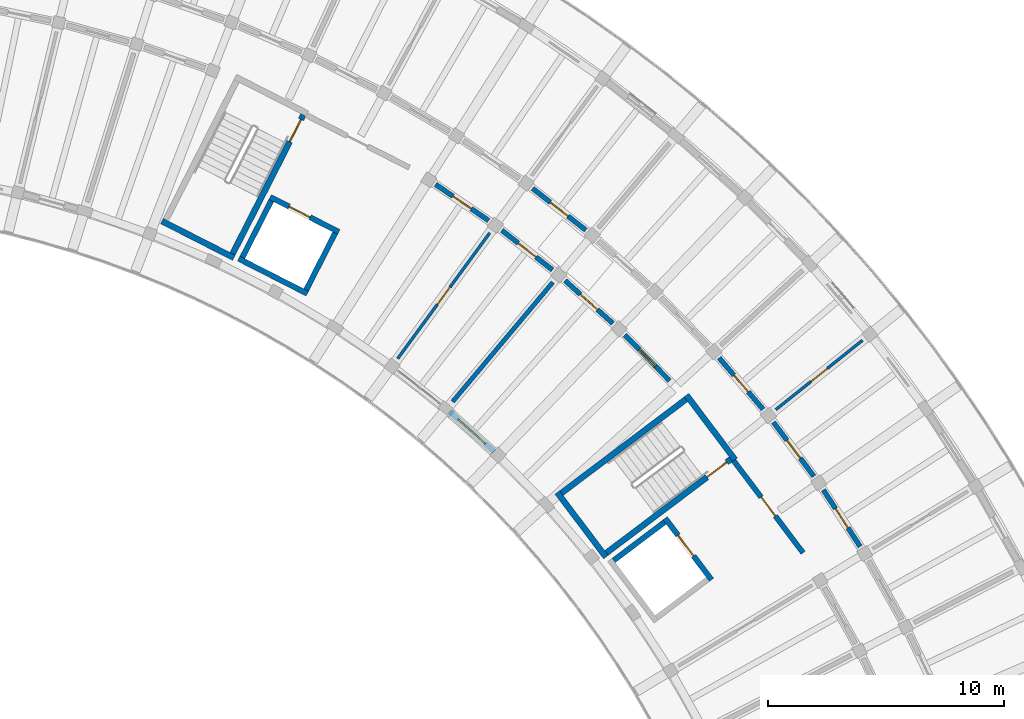
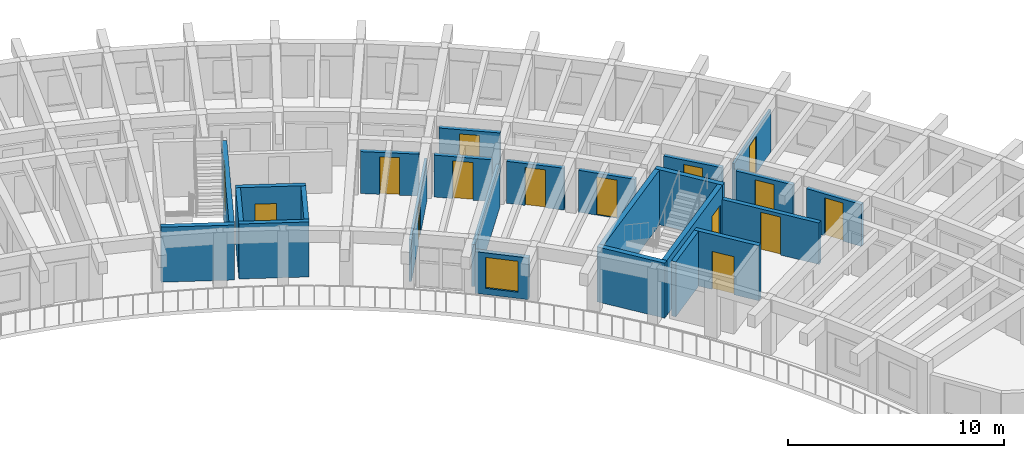
# One storey, part 34 of 56: 25 walls, 15 doors, 1 window, 16 openings.
"""IFC4 building model written with IfcOpenShell, lengths in metres."""

import ifcopenshell
import ifcopenshell.guid

model = None  # the IFC model being written
_history = None  # IfcOwnerHistory: only IFC2X3 demands one
_inside = {}  # id of a spatial element -> (the spatial element, [elements in it])
_under = {}  # id of a project, library or spatial element -> (it, [spatial elements below it])
_declared = {}  # id of a project -> (the project, [libraries it declares])
_typed = {}  # id of a type object -> (the type object, [elements of that type])
_made_of = {}  # id of a material, layer set ... -> (it, [elements and type objects made of it])


def new_model(schema):
    """Start an empty IFC model of exactly this schema.

    Asked for "IFC4X3", IfcOpenShell would pick the latest addendum, in which some entities
    have other attributes; the version numbers below select the first issue.
    IFC2X3 requires an IfcOwnerHistory on every rooted entity: one is made here for all.
    """
    global model, _history
    if schema == "IFC4X3":
        model = ifcopenshell.file(schema_version=(4, 3, 0, 0))
    else:
        model = ifcopenshell.file(schema=schema)
    _inside.clear()
    _under.clear()
    _declared.clear()
    _typed.clear()
    _made_of.clear()
    _history = None
    if model.schema == "IFC2X3":
        org = make("IfcOrganization", Name="unknown")
        user = make(
            "IfcPersonAndOrganization",
            ThePerson=make("IfcPerson", FamilyName="unknown"),
            TheOrganization=org,
        )
        app = make(
            "IfcApplication",
            ApplicationDeveloper=org,
            Version="unknown",
            ApplicationFullName="unknown",
            ApplicationIdentifier="unknown",
        )
        _history = make(
            "IfcOwnerHistory",
            OwningUser=user,
            OwningApplication=app,
            ChangeAction="ADDED",
            CreationDate=0,
        )
    return model


def make(cls, **values):
    """One entity of the class cls with the attributes given. An attribute that is None is left unset."""
    return model.create_entity(
        cls, **{name: value for name, value in values.items() if value is not None}
    )


def rooted(cls, **values):
    """An entity with a GlobalId (a new one), such as an element, a storey or a relation."""
    return make(cls, GlobalId=ifcopenshell.guid.new(), OwnerHistory=_history, **values)


def si_unit(unit_type, name, prefix=None):
    """IfcSIUnit, for example si_unit("LENGTHUNIT", "METRE", prefix="MILLI")."""
    return make("IfcSIUnit", UnitType=unit_type, Prefix=prefix, Name=name)


def assignment(units):
    """IfcUnitAssignment: the units of a project."""
    return None if units is None else make("IfcUnitAssignment", Units=units)


def point(xyz):
    """IfcCartesianPoint."""
    return None if xyz is None else make("IfcCartesianPoint", Coordinates=xyz)


def direction(xyz):
    """IfcDirection."""
    return None if xyz is None else make("IfcDirection", DirectionRatios=xyz)


def frame(location, z_axis=None, x_axis=None):
    """IfcAxis2Placement3D, a coordinate frame: its origin and axes. An axis left out is left unset."""
    return make(
        "IfcAxis2Placement3D",
        Location=point(location),
        Axis=direction(z_axis),
        RefDirection=direction(x_axis),
    )


def frame_2d(location, x_axis=None):
    """IfcAxis2Placement2D, a coordinate frame in the plane: its origin and x axis."""
    return make(
        "IfcAxis2Placement2D", Location=point(location), RefDirection=direction(x_axis)
    )


def origin():
    """The frame at (0, 0, 0) with its axes left unset."""
    return frame((0.0, 0.0, 0.0))


def place(relative_to, where):
    """IfcLocalPlacement: puts the frame where relative to a parent placement (None: the world)."""
    return make(
        "IfcLocalPlacement", PlacementRelTo=relative_to, RelativePlacement=where
    )


def context(
    kind, dimensions, precision=None, world=None, true_north=None, identifier=None
):
    """IfcGeometricRepresentationContext, for example the 3D "Model" context."""
    return make(
        "IfcGeometricRepresentationContext",
        ContextIdentifier=identifier,
        ContextType=kind,
        CoordinateSpaceDimension=dimensions,
        Precision=precision,
        WorldCoordinateSystem=world,
        TrueNorth=true_north,
    )


def subcontext(parent, identifier, kind, view, scale=None):
    """IfcGeometricRepresentationSubContext, for example "Body" below "Model"."""
    return make(
        "IfcGeometricRepresentationSubContext",
        ContextIdentifier=identifier,
        ContextType=kind,
        ParentContext=parent,
        TargetScale=scale,
        TargetView=view,
    )


def project(units=None, contexts=None):
    """IfcProject with its units and contexts."""
    return rooted(
        "IfcProject",
        Name="project",
        RepresentationContexts=contexts,
        UnitsInContext=assignment(units),
    )


def spatial(cls, under=None, at=None, **own):
    """A site, building, storey or space (cls), placed at a placement, below another one or the project."""
    s = rooted(cls, ObjectPlacement=at, **own)
    if under is not None:
        _under.setdefault(under.id(), (under, []))[1].append(s)
    return s


def profile(cls, at=None, kind="AREA", **sizes):
    """A parametric profile (cls). Its sizes go by their IFC names, for example OverallWidth=200.0."""
    return make(cls, ProfileType=kind, Position=at, **sizes)


def rectangle(**sizes):
    """IfcRectangleProfileDef."""
    return profile("IfcRectangleProfileDef", **sizes)


def extrude(swept, where, along, depth):
    """IfcExtrudedAreaSolid: the profile swept, set in the frame where, extruded along a direction by depth."""
    return make(
        "IfcExtrudedAreaSolid",
        SweptArea=swept,
        Position=where,
        ExtrudedDirection=direction(along),
        Depth=depth,
    )


def shape(context_of_items, identifier, shape_type, items):
    """IfcShapeRepresentation: the items that make up one representation, for example the "Body"."""
    return make(
        "IfcShapeRepresentation",
        ContextOfItems=context_of_items,
        RepresentationIdentifier=identifier,
        RepresentationType=shape_type,
        Items=items,
    )


def material(Name=None, Category=None):
    """IfcMaterial."""
    return make("IfcMaterial", Name=Name, Category=Category)


def layer(
    of_material, thickness, ventilated=None, Name=None, Category=None, Priority=None
):
    """IfcMaterialLayer: one layer of a wall or slab, of a material (None: an air gap)."""
    return make(
        "IfcMaterialLayer",
        Material=of_material,
        LayerThickness=thickness,
        IsVentilated=ventilated,
        Name=Name,
        Category=Category,
        Priority=Priority,
    )


def layer_set(layers, Name=None):
    """IfcMaterialLayerSet."""
    return make("IfcMaterialLayerSet", MaterialLayers=layers, LayerSetName=Name)


def made_of(thing, what):
    """Note that an element or type object is made of a material, layer set ...; save() writes the relation."""
    if what is not None:
        _made_of.setdefault(what.id(), (what, []))[1].append(thing)
    return thing


def type_object(cls, material=None, **own):
    """A type object (cls), such as IfcWallType, which elements share."""
    return made_of(rooted(cls, **own), material)


def element(
    cls,
    number,
    at=None,
    inside=None,
    cuts=None,
    type_object=None,
    material=None,
    context=None,
    identifier="Body",
    shape_type=None,
    held_by="IfcProductDefinitionShape",
    body=None,
    shapes=None,
    **own,
):
    """One element of the class cls, such as IfcWall. Its Tag is "e" and its number.

    at: its placement. inside: the storey or other place that contains it. cuts: it is an
    opening in that element (IfcRelVoidsElement). A single representation is given by context,
    identifier, shape_type and body (its items); several are given by shapes. held_by: the class
    of the entity that holds the representations. save() writes the other relations.
    """
    e = rooted(cls, Tag="e%d" % number, ObjectPlacement=at, **own)
    if body is not None:
        shapes = [shape(context, identifier, shape_type, body)]
    if shapes is not None:
        e.Representation = make(held_by, Representations=shapes)
    if inside is not None:
        _inside.setdefault(inside.id(), (inside, []))[1].append(e)
    if cuts is not None:
        rooted(
            "IfcRelVoidsElement", RelatingBuildingElement=cuts, RelatedOpeningElement=e
        )
    if type_object is not None:
        _typed.setdefault(type_object.id(), (type_object, []))[1].append(e)
    return made_of(e, material)


def fill(opening, filler):
    """IfcRelFillsElement: the door or window that sits in an opening."""
    return rooted(
        "IfcRelFillsElement",
        RelatingOpeningElement=opening,
        RelatedBuildingElement=filler,
    )


def aggregate(whole, parts):
    """IfcRelAggregates: a whole, such as a stair, and the parts it consists of."""
    return rooted("IfcRelAggregates", RelatingObject=whole, RelatedObjects=parts)


def save(model, path):
    """Write the relations noted so far, then the file.

    IfcRelAggregates (storeys below a building ...), IfcRelContainedInSpatialStructure (elements
    in a storey), IfcRelDefinesByType, IfcRelAssociatesMaterial and IfcRelDeclares: one each for
    every whole, place, type object, material and project.
    """
    for whole, parts in _under.values():
        aggregate(whole, parts)
    for where, things in _inside.values():
        rooted(
            "IfcRelContainedInSpatialStructure",
            RelatedElements=things,
            RelatingStructure=where,
        )
    for kind, things in _typed.values():
        rooted("IfcRelDefinesByType", RelatedObjects=things, RelatingType=kind)
    for what, things in _made_of.values():
        rooted("IfcRelAssociatesMaterial", RelatedObjects=things, RelatingMaterial=what)
    for by, libraries in _declared.values():
        rooted("IfcRelDeclares", RelatingContext=by, RelatedDefinitions=libraries)
    model.write(path)


model = new_model("IFC4")

# Units and contexts
model_context = context("Model", 3, precision=1e-05, world=origin(), true_north=direction((0.0, 1.0)))
body_context = subcontext(model_context, "Body", "Model", "MODEL_VIEW")
ifc_project = project(units=[si_unit("LENGTHUNIT", "METRE"), si_unit("AREAUNIT", "SQUARE_METRE"), si_unit("VOLUMEUNIT", "CUBIC_METRE"), si_unit("PLANEANGLEUNIT", "RADIAN"), si_unit("MASSUNIT", "GRAM", prefix="KILO")], contexts=[model_context])

# Site, building, storey
site_placement = place(None, origin())
site = spatial("IfcSite", under=ifc_project, at=site_placement, CompositionType="ELEMENT")
building_placement = place(site_placement, origin())
building = spatial("IfcBuilding", under=site, at=building_placement, Name="Tanwirah Colonnade Gardens", CompositionType="ELEMENT")
storey_placement = place(building_placement, frame((0.0, 0.0, 29.0)))
storey = spatial("IfcBuildingStorey", under=building, at=storey_placement, Name="L08", CompositionType="ELEMENT", Elevation=29.0)

# Wall, opening, window
ifc_material_1 = material(Name="Limestone architectural precast concrete C40/50", Category="masonry")
ifc_layer_1 = layer(ifc_material_1, 0.239990234375)
ifc_layer_set_1 = layer_set([ifc_layer_1], Name="Limestone architectural precast concrete C40/50")
wall_type_1 = type_object("IfcWallType", Name="EW-PC240", PredefinedType="SOLIDWALL", material=ifc_layer_set_1)
wall_1_placement = place(storey_placement, frame((151.589599609375, 92.441162109375, 0.0), z_axis=(0.0, 0.0, 1.0), x_axis=(-0.744432975017, 0.667697196121, 0.0)))
wall_1 = element("IfcWall", 1, at=wall_1_placement, inside=storey, type_object=wall_type_1, Name="Block B L08 IN Precast Facade Wall 8", PredefinedType="SOLIDWALL", context=body_context, shape_type="SweptSolid", body=[
    extrude(rectangle(XDim=2.545166015625, YDim=0.239990234375, at=frame_2d((1.2724609375, 0.0))), origin(), (0.0, 0.0, 1.0), 2.35498046875),
])
opening_1_placement = place(wall_1_placement, frame((0.49755859375, 0.0, 0.35009765625)))
opening_1 = element("IfcOpeningElement", 2, at=opening_1_placement, cuts=wall_1, Name="Opening WIN-T09", PredefinedType="OPENING", context=body_context, shape_type="SweptSolid", body=[
    extrude(rectangle(XDim=1.550048828125, YDim=1.75, at=frame_2d((0.77490234375, 0.875))), frame((0.0, 0.1298828125, 0.0), z_axis=(0.0, -1.0, 0.0), x_axis=(1.0, 0.0, 0.0)), (0.0, 0.0, 1.0), 0.260009765625),
])
ifc_material_2 = material(Name="Thermally broken bronze aluminium and solar low-E double glazing", Category="aluminium")
window_type = type_object("IfcWindowType", Name="WIN-T09", PartitioningType="DOUBLE_PANEL_VERTICAL", PredefinedType="WINDOW", material=ifc_material_2)
window_placement = place(opening_1_placement, origin())
window = element("IfcWindow", 3, at=window_placement, inside=storey, type_object=window_type, Name="Facade window B-L08-IN-08", OverallHeight=1.75, OverallWidth=1.550048828125, PartitioningType="SINGLE_PANEL", PredefinedType="WINDOW", context=body_context, shape_type="SweptSolid", body=[
    extrude(rectangle(XDim=1.550048828125, YDim=1.75, at=frame_2d((0.77490234375, 0.875))), frame((0.0, 0.030029296875, 0.0), z_axis=(0.0, -1.0, 0.0), x_axis=(1.0, 0.0, 0.0)), (0.0, 0.0, 1.0), 0.06005859375),
])
fill(opening_1, window)

# Wall, opening, door
ifc_material_3 = material(Name="Precast concrete C40/50", Category="concrete")
ifc_layer_2 = layer(ifc_material_3, 0.205078125)
ifc_layer_set_2 = layer_set([ifc_layer_2], Name="Precast concrete C40/50")
wall_type_2 = type_object("IfcWallType", Name="IW-CORR205", PredefinedType="PARTITIONING", material=ifc_layer_set_2)
wall_2_placement = place(storey_placement, frame((167.085205078125, 88.421142578125, 0.0), z_axis=(0.0, 0.0, 1.0), x_axis=(-0.544643612649, 0.838667595178, 0.0)))
wall_2 = element("IfcWall", 4, at=wall_2_placement, inside=storey, type_object=wall_type_2, Name="Block B L08 OUT Corridor Wall 4", PredefinedType="PARTITIONING", context=body_context, shape_type="SweptSolid", body=[
    extrude(rectangle(XDim=2.863037109375, YDim=0.205078125, at=frame_2d((1.431640625, 0.0))), origin(), (0.0, 0.0, 1.0), 2.3701171875),
])
opening_2_placement = place(wall_2_placement, frame((0.946533203125, 0.0, 0.0)))
opening_2 = element("IfcOpeningElement", 5, at=opening_2_placement, cuts=wall_2, Name="Opening L08-AD1135", PredefinedType="OPENING", context=body_context, shape_type="SweptSolid", body=[
    extrude(rectangle(XDim=0.969970703125, YDim=2.14990234375, at=frame_2d((0.48486328125, 1.074951171875))), frame((0.0, 0.112548828125, 0.0), z_axis=(0.0, -1.0, 0.0), x_axis=(1.0, 0.0, 0.0)), (0.0, 0.0, 1.0), 0.22509765625),
])
ifc_material_4 = material(Name="Solid oak fire-resisting apartment entrance door")
door_type_1 = type_object("IfcDoorType", Name="ID-FLT097", OperationType="NOTDEFINED", PredefinedType="DOOR", material=ifc_material_4)
door_1_placement = place(opening_2_placement, origin())
door_1 = element("IfcDoor", 6, at=door_1_placement, inside=storey, type_object=door_type_1, Name="Apartment corridor door L08-AD1135", OperationType="SINGLE_SWING_LEFT", OverallHeight=2.14990234375, OverallWidth=0.969970703125, PredefinedType="DOOR", context=body_context, shape_type="SweptSolid", body=[
    extrude(rectangle(XDim=0.969970703125, YDim=2.14990234375, at=frame_2d((0.48486328125, 1.074951171875))), frame((0.0, 0.02490234375, 0.0), z_axis=(0.0, -1.0, 0.0), x_axis=(1.0, 0.0, 0.0)), (0.0, 0.0, 1.0), 0.050048828125),
])
fill(opening_2, door_1)

wall_3_placement = place(storey_placement, frame((165.125732421875, 91.396240234375, 0.0), z_axis=(0.0, 0.0, 1.0), x_axis=(-0.598757763243, 0.800930172335, 0.0)))
wall_3 = element("IfcWall", 7, at=wall_3_placement, inside=storey, type_object=wall_type_2, Name="Block B L08 OUT Corridor Wall 5", PredefinedType="PARTITIONING", context=body_context, shape_type="SweptSolid", body=[
    extrude(rectangle(XDim=2.86328125, YDim=0.205078125, at=frame_2d((1.431640625, 0.0))), origin(), (0.0, 0.0, 1.0), 2.3701171875),
])
opening_3_placement = place(wall_3_placement, frame((0.95654296875, 0.0, 0.0)))
opening_3 = element("IfcOpeningElement", 8, at=opening_3_placement, cuts=wall_3, Name="Opening L08-AD1136", PredefinedType="OPENING", context=body_context, shape_type="SweptSolid", body=[
    extrude(rectangle(XDim=0.949951171875, YDim=2.1298828125, at=frame_2d((0.47509765625, 1.06494140625))), frame((0.0, 0.112548828125, 0.0), z_axis=(0.0, -1.0, 0.0), x_axis=(1.0, 0.0, 0.0)), (0.0, 0.0, 1.0), 0.22509765625),
])
door_type_2 = type_object("IfcDoorType", Name="ID-FLT095", OperationType="NOTDEFINED", PredefinedType="DOOR", material=ifc_material_4)
door_2_placement = place(opening_3_placement, origin())
door_2 = element("IfcDoor", 9, at=door_2_placement, inside=storey, type_object=door_type_2, Name="Apartment corridor door L08-AD1136", OperationType="SINGLE_SWING_RIGHT", OverallHeight=2.1298828125, OverallWidth=0.949951171875, PredefinedType="DOOR", context=body_context, shape_type="SweptSolid", body=[
    extrude(rectangle(XDim=0.949951171875, YDim=2.1298828125, at=frame_2d((0.47509765625, 1.06494140625))), frame((0.0, 0.02490234375, 0.0), z_axis=(0.0, -1.0, 0.0), x_axis=(1.0, 0.0, 0.0)), (0.0, 0.0, 1.0), 0.050048828125),
])
fill(opening_3, door_2)

wall_4_placement = place(storey_placement, frame((162.974365234375, 94.23583984375, 0.0), z_axis=(0.0, 0.0, 1.0), x_axis=(-0.650194272684, 0.759767996015, 0.0)))
wall_4 = element("IfcWall", 10, at=wall_4_placement, inside=storey, type_object=wall_type_2, Name="Block B L08 OUT Corridor Wall 6", PredefinedType="PARTITIONING", context=body_context, shape_type="SweptSolid", body=[
    extrude(rectangle(XDim=2.863037109375, YDim=0.205078125, at=frame_2d((1.431640625, 0.0))), origin(), (0.0, 0.0, 1.0), 2.3701171875),
])
opening_4_placement = place(wall_4_placement, frame((0.966552734375, 0.0, 0.0)))
opening_4 = element("IfcOpeningElement", 11, at=opening_4_placement, cuts=wall_4, Name="Opening L08-AD1138", PredefinedType="OPENING", context=body_context, shape_type="SweptSolid", body=[
    extrude(rectangle(XDim=0.929931640625, YDim=2.1201171875, at=frame_2d((0.46484375, 1.06005859375))), frame((0.0, 0.112548828125, 0.0), z_axis=(0.0, -1.0, 0.0), x_axis=(1.0, 0.0, 0.0)), (0.0, 0.0, 1.0), 0.22509765625),
])
door_type_3 = type_object("IfcDoorType", Name="ID-FLT093", OperationType="NOTDEFINED", PredefinedType="DOOR", material=ifc_material_4)
door_3_placement = place(opening_4_placement, origin())
door_3 = element("IfcDoor", 12, at=door_3_placement, inside=storey, type_object=door_type_3, Name="Apartment corridor door L08-AD1138", OperationType="SINGLE_SWING_LEFT", OverallHeight=2.1201171875, OverallWidth=0.929931640625, PredefinedType="DOOR", context=body_context, shape_type="SweptSolid", body=[
    extrude(rectangle(XDim=0.929931640625, YDim=2.1201171875, at=frame_2d((0.46484375, 1.06005859375))), frame((0.0, 0.02490234375, 0.0), z_axis=(0.0, -1.0, 0.0), x_axis=(1.0, 0.0, 0.0)), (0.0, 0.0, 1.0), 0.050048828125),
])
fill(opening_4, door_3)

wall_5_placement = place(storey_placement, frame((159.01708984375, 95.442626953125, 0.0), z_axis=(0.0, 0.0, 1.0), x_axis=(-0.698840007829, 0.715278018296, 0.0)))
wall_5 = element("IfcWall", 13, at=wall_5_placement, inside=storey, type_object=wall_type_2, Name="Block B L08 IN Corridor Wall 7", PredefinedType="PARTITIONING", context=body_context, shape_type="SweptSolid", body=[
    extrude(rectangle(XDim=2.718017578125, YDim=0.205078125, at=frame_2d((1.35888671875, 0.0))), origin(), (0.0, 0.0, 1.0), 2.3701171875),
])
opening_5_placement = place(wall_5_placement, frame((0.864013671875, 0.0, 0.0)))
opening_5 = element("IfcOpeningElement", 14, at=opening_5_placement, cuts=wall_5, Name="Opening L08-AD1140", PredefinedType="OPENING", context=body_context, shape_type="SweptSolid", body=[
    extrude(rectangle(XDim=0.989990234375, YDim=2.159912109375, at=frame_2d((0.4951171875, 1.080078125))), frame((0.0, 0.112548828125, 0.0), z_axis=(0.0, -1.0, 0.0), x_axis=(1.0, 0.0, 0.0)), (0.0, 0.0, 1.0), 0.22509765625),
])
door_type_4 = type_object("IfcDoorType", Name="ID-FLT099", OperationType="NOTDEFINED", PredefinedType="DOOR", material=ifc_material_4)
door_4_placement = place(opening_5_placement, origin())
door_4 = element("IfcDoor", 15, at=door_4_placement, inside=storey, type_object=door_type_4, Name="Apartment corridor door L08-AD1140", OperationType="SINGLE_SWING_LEFT", OverallHeight=2.159912109375, OverallWidth=0.989990234375, PredefinedType="DOOR", context=body_context, shape_type="SweptSolid", body=[
    extrude(rectangle(XDim=0.989990234375, YDim=2.159912109375, at=frame_2d((0.4951171875, 1.080078125))), frame((0.0, 0.02490234375, 0.0), z_axis=(0.0, -1.0, 0.0), x_axis=(1.0, 0.0, 0.0)), (0.0, 0.0, 1.0), 0.050048828125),
])
fill(opening_5, door_4)

wall_6_placement = place(storey_placement, frame((156.612548828125, 97.870849609375, 0.0), z_axis=(0.0, 0.0, 1.0), x_axis=(-0.744418559135, 0.667713268413, 0.0)))
wall_6 = element("IfcWall", 16, at=wall_6_placement, inside=storey, type_object=wall_type_2, Name="Block B L08 IN Corridor Wall 8", PredefinedType="PARTITIONING", context=body_context, shape_type="SweptSolid", body=[
    extrude(rectangle(XDim=2.71826171875, YDim=0.205078125, at=frame_2d((1.359130859375, 0.0))), origin(), (0.0, 0.0, 1.0), 2.3701171875),
])
opening_6_placement = place(wall_6_placement, frame((0.8740234375, 0.0, 0.0)))
opening_6 = element("IfcOpeningElement", 17, at=opening_6_placement, cuts=wall_6, Name="Opening L08-AD1142", PredefinedType="OPENING", context=body_context, shape_type="SweptSolid", body=[
    extrude(rectangle(XDim=0.969970703125, YDim=2.14990234375, at=frame_2d((0.48486328125, 1.074951171875))), frame((0.0, 0.112548828125, 0.0), z_axis=(0.0, -1.0, 0.0), x_axis=(1.0, 0.0, 0.0)), (0.0, 0.0, 1.0), 0.22509765625),
])
door_5_placement = place(opening_6_placement, origin())
door_5 = element("IfcDoor", 18, at=door_5_placement, inside=storey, type_object=door_type_1, Name="Apartment corridor door L08-AD1142", OperationType="SINGLE_SWING_RIGHT", OverallHeight=2.14990234375, OverallWidth=0.969970703125, PredefinedType="DOOR", context=body_context, shape_type="SweptSolid", body=[
    extrude(rectangle(XDim=0.969970703125, YDim=2.14990234375, at=frame_2d((0.48486328125, 1.074951171875))), frame((0.0, 0.02490234375, 0.0), z_axis=(0.0, -1.0, 0.0), x_axis=(1.0, 0.0, 0.0)), (0.0, 0.0, 1.0), 0.050048828125),
])
fill(opening_6, door_5)

wall_7_placement = place(storey_placement, frame((155.46728515625, 101.82080078125, 0.0), z_axis=(0.0, 0.0, 1.0), x_axis=(-0.786806323554, 0.617199975061, 0.0)))
wall_7 = element("IfcWall", 19, at=wall_7_placement, inside=storey, type_object=wall_type_2, Name="Block B L08 OUT Corridor Wall 9", PredefinedType="PARTITIONING", context=body_context, shape_type="SweptSolid", body=[
    extrude(rectangle(XDim=2.863037109375, YDim=0.205078125, at=frame_2d((1.431640625, 0.0))), origin(), (0.0, 0.0, 1.0), 2.3701171875),
])
opening_7_placement = place(wall_7_placement, frame((0.95654296875, 0.0, 0.0)))
opening_7 = element("IfcOpeningElement", 20, at=opening_7_placement, cuts=wall_7, Name="Opening L08-AD1143", PredefinedType="OPENING", context=body_context, shape_type="SweptSolid", body=[
    extrude(rectangle(XDim=0.949951171875, YDim=2.1298828125, at=frame_2d((0.47509765625, 1.06494140625))), frame((0.0, 0.112548828125, 0.0), z_axis=(0.0, -1.0, 0.0), x_axis=(1.0, 0.0, 0.0)), (0.0, 0.0, 1.0), 0.22509765625),
])
door_6_placement = place(opening_7_placement, origin())
door_6 = element("IfcDoor", 21, at=door_6_placement, inside=storey, type_object=door_type_2, Name="Apartment corridor door L08-AD1143", OperationType="SINGLE_SWING_RIGHT", OverallHeight=2.1298828125, OverallWidth=0.949951171875, PredefinedType="DOOR", context=body_context, shape_type="SweptSolid", body=[
    extrude(rectangle(XDim=0.949951171875, YDim=2.1298828125, at=frame_2d((0.47509765625, 1.06494140625))), frame((0.0, 0.02490234375, 0.0), z_axis=(0.0, -1.0, 0.0), x_axis=(1.0, 0.0, 0.0)), (0.0, 0.0, 1.0), 0.050048828125),
])
fill(opening_7, door_6)

wall_8_placement = place(storey_placement, frame((154.05322265625, 100.135498046875, 0.0), z_axis=(0.0, 0.0, 1.0), x_axis=(-0.786835457019, 0.617162833924, 0.0)))
wall_8 = element("IfcWall", 22, at=wall_8_placement, inside=storey, type_object=wall_type_2, Name="Block B L08 IN Corridor Wall 9", PredefinedType="PARTITIONING", context=body_context, shape_type="SweptSolid", body=[
    extrude(rectangle(XDim=2.718017578125, YDim=0.205078125, at=frame_2d((1.35888671875, 0.0))), origin(), (0.0, 0.0, 1.0), 2.3701171875),
])
opening_8_placement = place(wall_8_placement, frame((0.884033203125, 0.0, 0.0)))
opening_8 = element("IfcOpeningElement", 23, at=opening_8_placement, cuts=wall_8, Name="Opening L08-AD1144", PredefinedType="OPENING", context=body_context, shape_type="SweptSolid", body=[
    extrude(rectangle(XDim=0.949951171875, YDim=2.1298828125, at=frame_2d((0.47509765625, 1.06494140625))), frame((0.0, 0.112548828125, 0.0), z_axis=(0.0, -1.0, 0.0), x_axis=(1.0, 0.0, 0.0)), (0.0, 0.0, 1.0), 0.22509765625),
])
door_7_placement = place(opening_8_placement, origin())
door_7 = element("IfcDoor", 24, at=door_7_placement, inside=storey, type_object=door_type_2, Name="Apartment corridor door L08-AD1144", OperationType="SINGLE_SWING_LEFT", OverallHeight=2.1298828125, OverallWidth=0.949951171875, PredefinedType="DOOR", context=body_context, shape_type="SweptSolid", body=[
    extrude(rectangle(XDim=0.949951171875, YDim=2.1298828125, at=frame_2d((0.47509765625, 1.06494140625))), frame((0.0, 0.02490234375, 0.0), z_axis=(0.0, -1.0, 0.0), x_axis=(1.0, 0.0, 0.0)), (0.0, 0.0, 1.0), 0.050048828125),
])
fill(opening_8, door_7)

wall_9_placement = place(storey_placement, frame((151.35009765625, 102.226318359375, 0.0), z_axis=(0.0, 0.0, 1.0), x_axis=(-0.825752009056, 0.56403334967, 0.0)))
wall_9 = element("IfcWall", 25, at=wall_9_placement, inside=storey, type_object=wall_type_2, Name="Block B L08 IN Corridor Wall 10", PredefinedType="PARTITIONING", context=body_context, shape_type="SweptSolid", body=[
    extrude(rectangle(XDim=2.71826171875, YDim=0.205078125, at=frame_2d((1.359130859375, 0.0))), origin(), (0.0, 0.0, 1.0), 2.3701171875),
])
opening_9_placement = place(wall_9_placement, frame((0.89404296875, 0.0, 0.0)))
opening_9 = element("IfcOpeningElement", 26, at=opening_9_placement, cuts=wall_9, Name="Opening L08-AD1148", PredefinedType="OPENING", context=body_context, shape_type="SweptSolid", body=[
    extrude(rectangle(XDim=0.929931640625, YDim=2.1201171875, at=frame_2d((0.46484375, 1.06005859375))), frame((0.0, 0.112548828125, 0.0), z_axis=(0.0, -1.0, 0.0), x_axis=(1.0, 0.0, 0.0)), (0.0, 0.0, 1.0), 0.22509765625),
])
door_8_placement = place(opening_9_placement, origin())
door_8 = element("IfcDoor", 27, at=door_8_placement, inside=storey, type_object=door_type_3, Name="Apartment corridor door L08-AD1148", OperationType="SINGLE_SWING_RIGHT", OverallHeight=2.1201171875, OverallWidth=0.929931640625, PredefinedType="DOOR", context=body_context, shape_type="SweptSolid", body=[
    extrude(rectangle(XDim=0.929931640625, YDim=2.1201171875, at=frame_2d((0.46484375, 1.06005859375))), frame((0.0, 0.02490234375, 0.0), z_axis=(0.0, -1.0, 0.0), x_axis=(1.0, 0.0, 0.0)), (0.0, 0.0, 1.0), 0.050048828125),
])
fill(opening_9, door_8)

# Wall
ifc_layer_3 = layer(ifc_material_3, 0.18505859375)
ifc_layer_set_3 = layer_set([ifc_layer_3], Name="Precast concrete C40/50")
wall_type_3 = type_object("IfcWallType", Name="IW-DEM185", PredefinedType="PARTITIONING", material=ifc_layer_set_3)
wall_10_placement = place(storey_placement, frame((149.8291015625, 94.55712890625, 0.0), z_axis=(0.0, 0.0, 1.0), x_axis=(0.642789470807, 0.766042881449, 0.0)))
element("IfcWall", 28, at=wall_10_placement, inside=storey, type_object=wall_type_3, Name="Block B L08 Inner Radial Partition 8", PredefinedType="PARTITIONING", context=body_context, shape_type="SweptSolid", body=[
    extrude(rectangle(XDim=6.60009765625, YDim=0.18505859375, at=frame_2d((3.300048828125, 0.0))), origin(), (0.0, 0.0, 1.0), 2.3701171875),
])

# Wall, opening, door
ifc_material_5 = material(Name="Autoclaved aerated masonry blockwork", Category="masonry")
ifc_layer_4 = layer(ifc_material_5, 0.219970703125)
ifc_layer_set_4 = layer_set([ifc_layer_4], Name="Autoclaved aerated masonry blockwork")
wall_type_4 = type_object("IfcWallType", Name="IW-FFL220", PredefinedType="PARTITIONING", material=ifc_layer_set_4)
wall_11_placement = place(storey_placement, frame((161.7177734375, 92.072509765625, 0.0), z_axis=(0.0, 0.0, 1.0), x_axis=(0.601792209296, -0.79865270101, 0.0)))
wall_11 = element("IfcWall", 29, at=wall_11_placement, inside=storey, type_object=wall_type_4, Name="CORE-B1 L08 Enclosed Lobby Fire Wall", PredefinedType="PARTITIONING", context=body_context, shape_type="SweptSolid", body=[
    extrude(rectangle(XDim=4.89990234375, YDim=0.219970703125, at=frame_2d((2.449951171875, 0.0))), origin(), (0.0, 0.0, 1.0), 2.340087890625),
])
opening_10_placement = place(wall_11_placement, frame((1.949951171875, 0.0, 0.0)))
opening_10 = element("IfcOpeningElement", 30, at=opening_10_placement, cuts=wall_11, Name="Opening L08-LD088", PredefinedType="OPENING", context=body_context, shape_type="SweptSolid", body=[
    extrude(rectangle(XDim=1.0, YDim=2.14990234375, at=frame_2d((0.5, 1.074951171875))), frame((0.0, 0.119873046875, 0.0), z_axis=(0.0, -1.0, 0.0), x_axis=(1.0, 0.0, 0.0)), (0.0, 0.0, 1.0), 0.239990234375),
])
ifc_material_6 = material(Name="Acoustic fire-resisting lobby door")
door_type_5 = type_object("IfcDoorType", Name="ID-FFL100", OperationType="NOTDEFINED", PredefinedType="DOOR", material=ifc_material_6)
door_9_placement = place(opening_10_placement, origin())
door_9 = element("IfcDoor", 31, at=door_9_placement, inside=storey, type_object=door_type_5, Name="CORE-B1 L08 Lobby Fire Door L08-LD088", OperationType="SINGLE_SWING_LEFT", OverallHeight=2.14990234375, OverallWidth=1.0, PredefinedType="DOOR", context=body_context, shape_type="SweptSolid", body=[
    extrude(rectangle(XDim=1.0, YDim=2.14990234375, at=frame_2d((0.5, 1.074951171875))), frame((0.0, 0.02490234375, 0.0), z_axis=(0.0, -1.0, 0.0), x_axis=(1.0, 0.0, 0.0)), (0.0, 0.0, 1.0), 0.050048828125),
])
fill(opening_10, door_9)

ifc_material_7 = material(Name="Moisture-resistant gypsum stud partition")
ifc_layer_5 = layer(ifc_material_7, 0.125)
ifc_layer_set_5 = layer_set([ifc_layer_5], Name="Moisture-resistant gypsum stud partition")
wall_type_5 = type_object("IfcWallType", Name="IW-INT125", PredefinedType="PARTITIONING", material=ifc_layer_set_5)
wall_12_placement = place(storey_placement, frame((163.51416015625, 94.2197265625, 0.0), z_axis=(0.0, 0.0, 1.0), x_axis=(0.780807994362, 0.624771058821, 0.0)))
wall_12 = element("IfcWall", 32, at=wall_12_placement, inside=storey, type_object=wall_type_5, Name="Block B L08 Radial Partition 5", PredefinedType="PARTITIONING", context=body_context, shape_type="SweptSolid", body=[
    extrude(rectangle(XDim=4.7001953125, YDim=0.125, at=frame_2d((2.35009765625, 0.0))), origin(), (0.0, 0.0, 1.0), 2.3701171875),
])
opening_11_placement = place(wall_12_placement, frame((1.905029296875, 0.0, 0.0)))
opening_11 = element("IfcOpeningElement", 33, at=opening_11_placement, cuts=wall_12, Name="Opening L08-RD1137", PredefinedType="OPENING", context=body_context, shape_type="SweptSolid", body=[
    extrude(rectangle(XDim=0.889892578125, YDim=2.10009765625, at=frame_2d((0.44482421875, 1.050048828125))), frame((0.0, 0.072509765625, 0.0), z_axis=(0.0, -1.0, 0.0), x_axis=(1.0, 0.0, 0.0)), (0.0, 0.0, 1.0), 0.14501953125),
])
ifc_material_8 = material(Name="Painted hardwood bedroom door", Category="wood")
door_type_6 = type_object("IfcDoorType", Name="ID-RM089", OperationType="NOTDEFINED", PredefinedType="DOOR", material=ifc_material_8)
door_10_placement = place(opening_11_placement, origin())
door_10 = element("IfcDoor", 34, at=door_10_placement, inside=storey, type_object=door_type_6, Name="Internal apartment door L08-RD1137", OperationType="SINGLE_SWING_RIGHT", OverallHeight=2.10009765625, OverallWidth=0.889892578125, PredefinedType="DOOR", context=body_context, shape_type="SweptSolid", body=[
    extrude(rectangle(XDim=0.889892578125, YDim=2.10009765625, at=frame_2d((0.44482421875, 1.050048828125))), frame((0.0, 0.02490234375, 0.0), z_axis=(0.0, -1.0, 0.0), x_axis=(1.0, 0.0, 0.0)), (0.0, 0.0, 1.0), 0.050048828125),
])
fill(opening_11, door_10)

wall_13_placement = place(storey_placement, frame((147.502685546875, 96.3818359375, 0.0), z_axis=(0.0, 0.0, 1.0), x_axis=(0.590924179316, 0.806727100263, 0.0)))
wall_13 = element("IfcWall", 35, at=wall_13_placement, inside=storey, type_object=wall_type_5, Name="Block B L08 Inner Radial Partition 9", PredefinedType="PARTITIONING", context=body_context, shape_type="SweptSolid", body=[
    extrude(rectangle(XDim=6.60009765625, YDim=0.125, at=frame_2d((3.300048828125, 0.0))), origin(), (0.0, 0.0, 1.0), 2.3701171875),
])
opening_12_placement = place(wall_13_placement, frame((2.844970703125, 0.0, 0.0)))
opening_12 = element("IfcOpeningElement", 36, at=opening_12_placement, cuts=wall_13, Name="Opening L08-RD1146", PredefinedType="OPENING", context=body_context, shape_type="SweptSolid", body=[
    extrude(rectangle(XDim=0.909912109375, YDim=2.10009765625, at=frame_2d((0.455078125, 1.050048828125))), frame((0.0, 0.072509765625, 0.0), z_axis=(0.0, -1.0, 0.0), x_axis=(1.0, 0.0, 0.0)), (0.0, 0.0, 1.0), 0.14501953125),
])
ifc_material_9 = material(Name="Painted hardwood internal room door", Category="wood")
door_type_7 = type_object("IfcDoorType", Name="ID-RM091", OperationType="NOTDEFINED", PredefinedType="DOOR", material=ifc_material_9)
door_11_placement = place(opening_12_placement, origin())
door_11 = element("IfcDoor", 37, at=door_11_placement, inside=storey, type_object=door_type_7, Name="Internal apartment door L08-RD1146", OperationType="SINGLE_SWING_LEFT", OverallHeight=2.10009765625, OverallWidth=0.909912109375, PredefinedType="DOOR", context=body_context, shape_type="SweptSolid", body=[
    extrude(rectangle(XDim=0.909912109375, YDim=2.10009765625, at=frame_2d((0.455078125, 1.050048828125))), frame((0.0, 0.02490234375, 0.0), z_axis=(0.0, -1.0, 0.0), x_axis=(1.0, 0.0, 0.0)), (0.0, 0.0, 1.0), 0.050048828125),
])
fill(opening_12, door_11)

# Walls
ifc_material_10 = material(Name="Concrete C45/55", Category="concrete")
ifc_layer_6 = layer(ifc_material_10, 0.25)
ifc_layer_set_6 = layer_set([ifc_layer_6], Name="Concrete C45/55")
wall_type_6 = type_object("IfcWallType", Name="SW-CORE250", PredefinedType="SHEAR", material=ifc_layer_set_6)
wall_14_placement = place(storey_placement, frame((159.706787109375, 94.657958984375, 0.0), z_axis=(0.0, 0.0, 1.0), x_axis=(-0.798639633744, -0.601809550782, 0.0)))
element("IfcWall", 38, at=wall_14_placement, inside=storey, type_object=wall_type_6, Name="CORE-B1 L08 Stair Shaft Shear Wall LEFT", PredefinedType="SHEAR", context=body_context, shape_type="SweptSolid", body=[
    extrude(rectangle(XDim=6.599853515625, YDim=0.25, at=frame_2d((3.2998046875, 0.0))), origin(), (0.0, 0.0, 1.0), 3.110107421875),
])
wall_15_placement = place(storey_placement, frame((154.2607421875, 90.710693359375, 0.0), z_axis=(0.0, 0.0, 1.0), x_axis=(0.601825826579, -0.798627368967, 0.0)))
element("IfcWall", 39, at=wall_15_placement, inside=storey, type_object=wall_type_6, Name="CORE-B1 L08 Stair Shaft Shear Wall FAR", PredefinedType="SHEAR", context=body_context, shape_type="SweptSolid", body=[
    extrude(rectangle(XDim=3.420166015625, YDim=0.25, at=frame_2d((1.7099609375, 0.0))), origin(), (0.0, 0.0, 1.0), 3.110107421875),
])
wall_16_placement = place(storey_placement, frame((159.7314453125, 94.8330078125, 0.0), z_axis=(0.0, 0.0, 1.0), x_axis=(0.601814606132, -0.798635824294, 0.0)))
element("IfcWall", 40, at=wall_16_placement, inside=storey, type_object=wall_type_6, Name="CORE-B1 L08 Stair Shaft Shear Wall NEAR", PredefinedType="SHEAR", context=body_context, shape_type="SweptSolid", body=[
    extrude(rectangle(XDim=3.419921875, YDim=0.25, at=frame_2d((1.7099609375, 0.0))), origin(), (0.0, 0.0, 1.0), 3.110107421875),
])

# Wall, opening, door
wall_17_placement = place(storey_placement, frame((161.614501953125, 92.126220703125, 0.0), z_axis=(0.0, 0.0, 1.0), x_axis=(-0.798639633744, -0.601809550782, 0.0)))
wall_17 = element("IfcWall", 41, at=wall_17_placement, inside=storey, type_object=wall_type_6, Name="CORE-B1 L08 Stair Shaft Shear Wall RIGHT", PredefinedType="SHEAR", context=body_context, shape_type="SweptSolid", body=[
    extrude(rectangle(XDim=6.599853515625, YDim=0.25, at=frame_2d((3.2998046875, 0.0))), origin(), (0.0, 0.0, 1.0), 3.110107421875),
])
opening_13_placement = place(wall_17_placement, frame((0.219970703125, 0.0, 0.0)))
opening_13 = element("IfcOpeningElement", 42, at=opening_13_placement, cuts=wall_17, Name="Opening L08-SD074", PredefinedType="OPENING", context=body_context, shape_type="SweptSolid", body=[
    extrude(rectangle(XDim=1.050048828125, YDim=2.14990234375, at=frame_2d((0.52490234375, 1.074951171875))), frame((0.0, 0.135009765625, 0.0), z_axis=(0.0, -1.0, 0.0), x_axis=(1.0, 0.0, 0.0)), (0.0, 0.0, 1.0), 0.27001953125),
])
ifc_material_11 = material(Name="Steel fire-resisting stair enclosure door", Category="steel")
door_type_8 = type_object("IfcDoorType", Name="ID-ST105", OperationType="NOTDEFINED", PredefinedType="DOOR", material=ifc_material_11)
door_12_placement = place(opening_13_placement, origin())
door_12 = element("IfcDoor", 43, at=door_12_placement, inside=storey, type_object=door_type_8, Name="CORE-B1 L08 Stair Fire Door L08-SD074", OperationType="SINGLE_SWING_LEFT", OverallHeight=2.14990234375, OverallWidth=1.050048828125, PredefinedType="DOOR", context=body_context, shape_type="SweptSolid", body=[
    extrude(rectangle(XDim=1.050048828125, YDim=2.14990234375, at=frame_2d((0.52490234375, 1.074951171875))), frame((0.0, 0.02490234375, 0.0), z_axis=(0.0, -1.0, 0.0), x_axis=(1.0, 0.0, 0.0)), (0.0, 0.0, 1.0), 0.050048828125),
])
fill(opening_13, door_12)

# Wall
wall_18_placement = place(storey_placement, frame((137.51953125, 102.203369140625, 0.0), z_axis=(0.0, 0.0, 1.0), x_axis=(0.891003540237, -0.453996356025, 0.0)))
element("IfcWall", 44, at=wall_18_placement, inside=storey, type_object=wall_type_6, Name="CORE-B2 L08 Stair Shaft Shear Wall FAR", PredefinedType="SHEAR", context=body_context, shape_type="SweptSolid", body=[
    extrude(rectangle(XDim=3.420166015625, YDim=0.25, at=frame_2d((1.7099609375, 0.0))), origin(), (0.0, 0.0, 1.0), 3.110107421875),
])

# Wall, opening, door
wall_19_placement = place(storey_placement, frame((143.508544921875, 106.699462890625, 0.0), z_axis=(0.0, 0.0, 1.0), x_axis=(-0.453992276384, -0.891005618941, 0.0)))
wall_19 = element("IfcWall", 45, at=wall_19_placement, inside=storey, type_object=wall_type_6, Name="CORE-B2 L08 Stair Shaft Shear Wall RIGHT", PredefinedType="SHEAR", context=body_context, shape_type="SweptSolid", body=[
    extrude(rectangle(XDim=6.599853515625, YDim=0.25, at=frame_2d((3.2998046875, 0.0))), origin(), (0.0, 0.0, 1.0), 3.110107421875),
])
opening_14_placement = place(wall_19_placement, frame((0.219970703125, 0.0, 0.0)))
opening_14 = element("IfcOpeningElement", 46, at=opening_14_placement, cuts=wall_19, Name="Opening L08-SD102", PredefinedType="OPENING", context=body_context, shape_type="SweptSolid", body=[
    extrude(rectangle(XDim=1.050048828125, YDim=2.14990234375, at=frame_2d((0.52490234375, 1.074951171875))), frame((0.0, 0.135009765625, 0.0), z_axis=(0.0, -1.0, 0.0), x_axis=(1.0, 0.0, 0.0)), (0.0, 0.0, 1.0), 0.27001953125),
])
door_13_placement = place(opening_14_placement, origin())
door_13 = element("IfcDoor", 47, at=door_13_placement, inside=storey, type_object=door_type_8, Name="CORE-B2 L08 Stair Fire Door L08-SD102", OperationType="SINGLE_SWING_LEFT", OverallHeight=2.14990234375, OverallWidth=1.050048828125, PredefinedType="DOOR", context=body_context, shape_type="SweptSolid", body=[
    extrude(rectangle(XDim=1.050048828125, YDim=2.14990234375, at=frame_2d((0.52490234375, 1.074951171875))), frame((0.0, 0.02490234375, 0.0), z_axis=(0.0, -1.0, 0.0), x_axis=(1.0, 0.0, 0.0)), (0.0, 0.0, 1.0), 0.050048828125),
])
fill(opening_14, door_13)

ifc_layer_7 = layer(ifc_material_10, 0.22998046875)
ifc_layer_set_7 = layer_set([ifc_layer_7], Name="Concrete C45/55")
wall_type_7 = type_object("IfcWallType", Name="SW-LIFT230", PredefinedType="SHEAR", material=ifc_layer_set_7)
wall_20_placement = place(storey_placement, frame((158.827392578125, 89.618896484375, 0.0), z_axis=(0.0, 0.0, 1.0), x_axis=(0.601819781152, -0.798631924615, 0.0)))
wall_20 = element("IfcWall", 48, at=wall_20_placement, inside=storey, type_object=wall_type_7, Name="CORE-B1 L08 Lift Shaft Wall FRONT", PredefinedType="SHEAR", context=body_context, shape_type="SweptSolid", body=[
    extrude(rectangle(XDim=3.260009765625, YDim=0.22998046875, at=frame_2d((1.6298828125, 0.0))), origin(), (0.0, 0.0, 1.0), 3.110107421875),
])
opening_15_placement = place(wall_20_placement, frame((0.89990234375, 0.0, 0.0)))
opening_15 = element("IfcOpeningElement", 49, at=opening_15_placement, cuts=wall_20, Name="Opening L08-LD-FL-B1", PredefinedType="OPENING", context=body_context, shape_type="SweptSolid", body=[
    extrude(rectangle(XDim=1.10009765625, YDim=2.14990234375, at=frame_2d((0.550048828125, 1.074951171875))), frame((0.0, 0.125, 0.0), z_axis=(0.0, -1.0, 0.0), x_axis=(1.0, 0.0, 0.0)), (0.0, 0.0, 1.0), 0.25),
])
ifc_material_12 = material(Name="Stainless steel sliding fire lift landing door", Category="steel")
door_type_9 = type_object("IfcDoorType", Name="LD-FF11", OperationType="DOUBLE_DOOR_SLIDING", PredefinedType="DOOR", material=ifc_material_12)
door_14_placement = place(opening_15_placement, origin())
door_14 = element("IfcDoor", 50, at=door_14_placement, inside=storey, type_object=door_type_9, Name="Lift FL-B1 L08 Sliding Landing Door", OperationType="DOUBLE_DOOR_SLIDING", OverallHeight=2.14990234375, OverallWidth=1.10009765625, PredefinedType="DOOR", context=body_context, shape_type="SweptSolid", body=[
    extrude(rectangle(XDim=1.10009765625, YDim=2.14990234375, at=frame_2d((0.550048828125, 1.074951171875))), frame((0.0, 0.02490234375, 0.0), z_axis=(0.0, -1.0, 0.0), x_axis=(1.0, 0.0, 0.0)), (0.0, 0.0, 1.0), 0.050048828125),
])
fill(opening_15, door_14)

# Wall
wall_21_placement = place(storey_placement, frame((158.8046875, 89.4580078125, 0.0), z_axis=(0.0, 0.0, 1.0), x_axis=(-0.798608971494, -0.601850239387, 0.0)))
element("IfcWall", 51, at=wall_21_placement, inside=storey, type_object=wall_type_7, Name="CORE-B1 L08 Lift Shaft Wall SIDEA", PredefinedType="SHEAR", context=body_context, shape_type="SweptSolid", body=[
    extrude(rectangle(XDim=2.699951171875, YDim=0.22998046875, at=frame_2d((1.35009765625, 0.0))), origin(), (0.0, 0.0, 1.0), 3.110107421875),
])

# Wall, opening, door
wall_22_placement = place(storey_placement, frame((142.1025390625, 103.223876953125, 0.0), z_axis=(0.0, 0.0, 1.0), x_axis=(0.891001200497, -0.454000947921, 0.0)))
wall_22 = element("IfcWall", 52, at=wall_22_placement, inside=storey, type_object=wall_type_7, Name="CORE-B2 L08 Lift Shaft Wall FRONT", PredefinedType="SHEAR", context=body_context, shape_type="SweptSolid", body=[
    extrude(rectangle(XDim=3.259765625, YDim=0.22998046875, at=frame_2d((1.6298828125, 0.0))), origin(), (0.0, 0.0, 1.0), 3.110107421875),
])
opening_16_placement = place(wall_22_placement, frame((0.89990234375, 0.0, 0.0)))
opening_16 = element("IfcOpeningElement", 53, at=opening_16_placement, cuts=wall_22, Name="Opening L08-LD-PL-B2", PredefinedType="OPENING", context=body_context, shape_type="SweptSolid", body=[
    extrude(rectangle(XDim=1.0, YDim=2.14990234375, at=frame_2d((0.5, 1.074951171875))), frame((0.0, 0.125, 0.0), z_axis=(0.0, -1.0, 0.0), x_axis=(1.0, 0.0, 0.0)), (0.0, 0.0, 1.0), 0.25),
])
ifc_material_13 = material(Name="Bronze stainless steel sliding lift landing door", Category="steel")
door_type_10 = type_object("IfcDoorType", Name="LD-PS10", OperationType="DOUBLE_DOOR_SLIDING", PredefinedType="DOOR", material=ifc_material_13)
door_15_placement = place(opening_16_placement, origin())
door_15 = element("IfcDoor", 54, at=door_15_placement, inside=storey, type_object=door_type_10, Name="Lift PL-B2 L08 Sliding Landing Door", OperationType="DOUBLE_DOOR_SLIDING", OverallHeight=2.14990234375, OverallWidth=1.0, PredefinedType="DOOR", context=body_context, shape_type="SweptSolid", body=[
    extrude(rectangle(XDim=1.0, YDim=2.14990234375, at=frame_2d((0.5, 1.074951171875))), frame((0.0, 0.02490234375, 0.0), z_axis=(0.0, -1.0, 0.0), x_axis=(1.0, 0.0, 0.0)), (0.0, 0.0, 1.0), 0.050048828125),
])
fill(opening_16, door_15)

# Walls
wall_23_placement = place(storey_placement, frame((140.772216796875, 100.61328125, 0.0), z_axis=(0.0, 0.0, 1.0), x_axis=(0.891016635648, -0.453970654337, 0.0)))
element("IfcWall", 55, at=wall_23_placement, inside=storey, type_object=wall_type_7, Name="CORE-B2 L08 Lift Shaft Wall BACK", PredefinedType="SHEAR", context=body_context, shape_type="SweptSolid", body=[
    extrude(rectangle(XDim=3.260009765625, YDim=0.22998046875, at=frame_2d((1.6298828125, 0.0))), origin(), (0.0, 0.0, 1.0), 3.110107421875),
])
for number, where, z_axis, x_axis, name in (
    (56, (142.15283203125, 103.0693359375, 0.0), (0.0, 0.0, 1.0), (-0.454000278178, -0.891001541758, 0.0), "CORE-B2 L08 Lift Shaft Wall SIDEA"),
    (57, (144.8525390625, 101.693603515625, 0.0), (0.0, 0.0, 1.0), (-0.454036857101, -0.890982902414, 0.0), "CORE-B2 L08 Lift Shaft Wall SIDEB"),
):
    element("IfcWall", number, at=place(storey_placement, frame(where, z_axis=z_axis, x_axis=x_axis)), inside=storey, type_object=wall_type_7, Name=name, PredefinedType="SHEAR", context=body_context, shape_type="SweptSolid", body=[
        extrude(rectangle(XDim=2.699951171875, YDim=0.22998046875, at=frame_2d((1.35009765625, 0.0))), origin(), (0.0, 0.0, 1.0), 3.110107421875),
    ])

save(model, "model.ifc")
